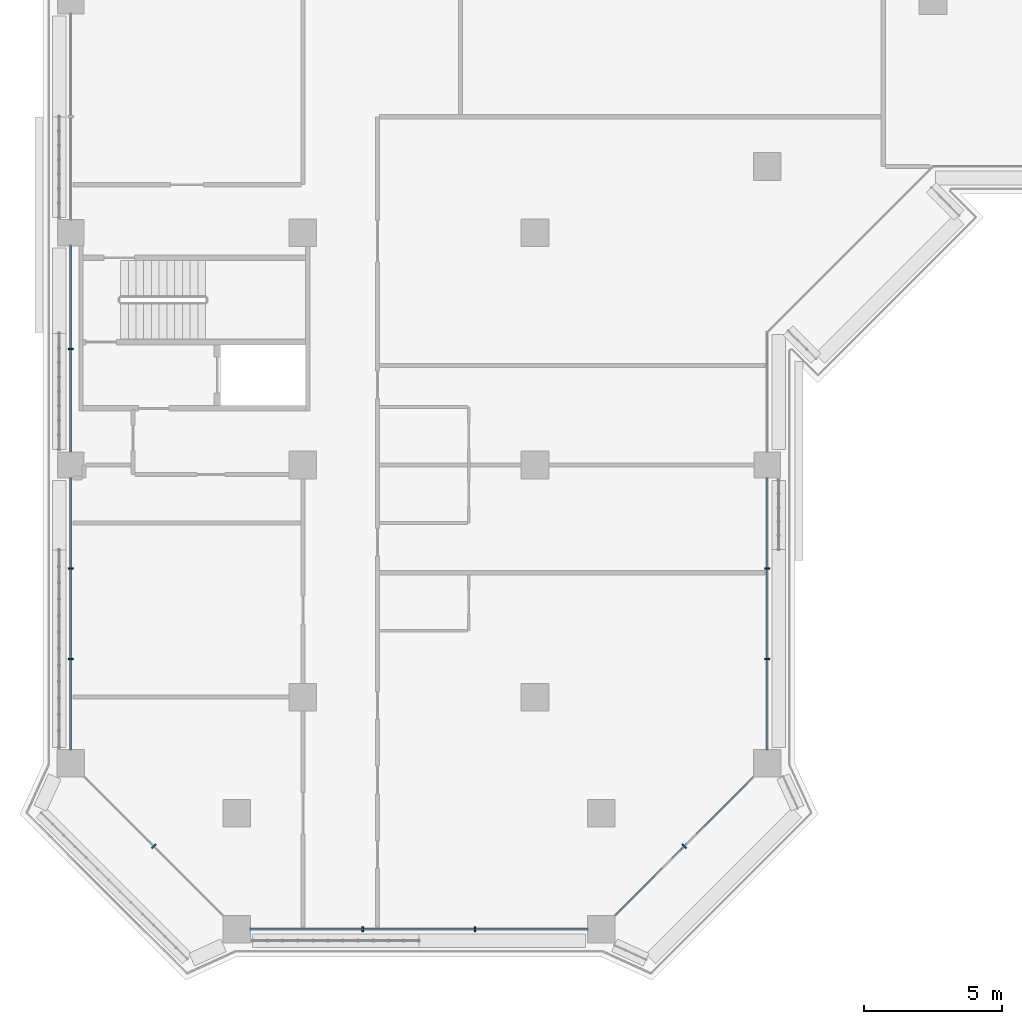
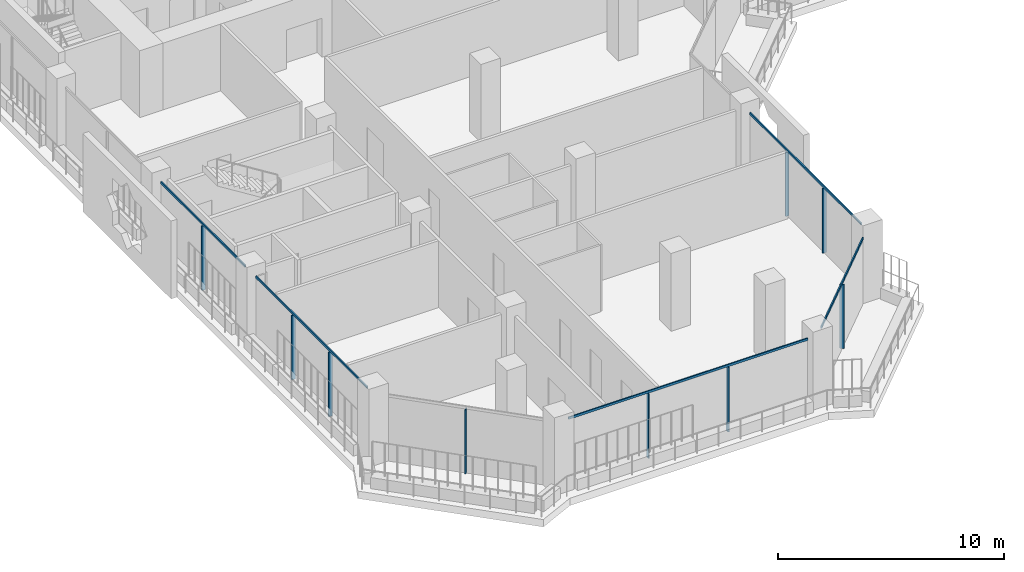
# One storey, part 2 of 23: 14 members, 5 elements without a shape of their own.
"""IFC4 building model written with IfcOpenShell, lengths in metres."""

import ifcopenshell
import ifcopenshell.guid

model = None  # the IFC model being written
_history = None  # IfcOwnerHistory: only IFC2X3 demands one
_inside = {}  # id of a spatial element -> (the spatial element, [elements in it])
_under = {}  # id of a project, library or spatial element -> (it, [spatial elements below it])
_declared = {}  # id of a project -> (the project, [libraries it declares])
_typed = {}  # id of a type object -> (the type object, [elements of that type])
_made_of = {}  # id of a material, layer set ... -> (it, [elements and type objects made of it])


def new_model(schema):
    """Start an empty IFC model of exactly this schema.

    Asked for "IFC4X3", IfcOpenShell would pick the latest addendum, in which some entities
    have other attributes; the version numbers below select the first issue.
    IFC2X3 requires an IfcOwnerHistory on every rooted entity: one is made here for all.
    """
    global model, _history
    if schema == "IFC4X3":
        model = ifcopenshell.file(schema_version=(4, 3, 0, 0))
    else:
        model = ifcopenshell.file(schema=schema)
    _inside.clear()
    _under.clear()
    _declared.clear()
    _typed.clear()
    _made_of.clear()
    _history = None
    if model.schema == "IFC2X3":
        org = make("IfcOrganization", Name="unknown")
        user = make(
            "IfcPersonAndOrganization",
            ThePerson=make("IfcPerson", FamilyName="unknown"),
            TheOrganization=org,
        )
        app = make(
            "IfcApplication",
            ApplicationDeveloper=org,
            Version="unknown",
            ApplicationFullName="unknown",
            ApplicationIdentifier="unknown",
        )
        _history = make(
            "IfcOwnerHistory",
            OwningUser=user,
            OwningApplication=app,
            ChangeAction="ADDED",
            CreationDate=0,
        )
    return model


def make(cls, **values):
    """One entity of the class cls with the attributes given. An attribute that is None is left unset."""
    return model.create_entity(
        cls, **{name: value for name, value in values.items() if value is not None}
    )


def rooted(cls, **values):
    """An entity with a GlobalId (a new one), such as an element, a storey or a relation."""
    return make(cls, GlobalId=ifcopenshell.guid.new(), OwnerHistory=_history, **values)


def si_unit(unit_type, name, prefix=None):
    """IfcSIUnit, for example si_unit("LENGTHUNIT", "METRE", prefix="MILLI")."""
    return make("IfcSIUnit", UnitType=unit_type, Prefix=prefix, Name=name)


def assignment(units):
    """IfcUnitAssignment: the units of a project."""
    return None if units is None else make("IfcUnitAssignment", Units=units)


def point(xyz):
    """IfcCartesianPoint."""
    return None if xyz is None else make("IfcCartesianPoint", Coordinates=xyz)


def direction(xyz):
    """IfcDirection."""
    return None if xyz is None else make("IfcDirection", DirectionRatios=xyz)


def frame(location, z_axis=None, x_axis=None):
    """IfcAxis2Placement3D, a coordinate frame: its origin and axes. An axis left out is left unset."""
    return make(
        "IfcAxis2Placement3D",
        Location=point(location),
        Axis=direction(z_axis),
        RefDirection=direction(x_axis),
    )


def frame_2d(location, x_axis=None):
    """IfcAxis2Placement2D, a coordinate frame in the plane: its origin and x axis."""
    return make(
        "IfcAxis2Placement2D", Location=point(location), RefDirection=direction(x_axis)
    )


def origin():
    """The frame at (0, 0, 0) with its axes left unset."""
    return frame((0.0, 0.0, 0.0))


def origin_2d():
    """The frame at (0, 0) in the plane with its x axis left unset."""
    return frame_2d((0.0, 0.0))


def place(relative_to, where):
    """IfcLocalPlacement: puts the frame where relative to a parent placement (None: the world)."""
    return make(
        "IfcLocalPlacement", PlacementRelTo=relative_to, RelativePlacement=where
    )


def context(
    kind, dimensions, precision=None, world=None, true_north=None, identifier=None
):
    """IfcGeometricRepresentationContext, for example the 3D "Model" context."""
    return make(
        "IfcGeometricRepresentationContext",
        ContextIdentifier=identifier,
        ContextType=kind,
        CoordinateSpaceDimension=dimensions,
        Precision=precision,
        WorldCoordinateSystem=world,
        TrueNorth=true_north,
    )


def subcontext(parent, identifier, kind, view, scale=None):
    """IfcGeometricRepresentationSubContext, for example "Body" below "Model"."""
    return make(
        "IfcGeometricRepresentationSubContext",
        ContextIdentifier=identifier,
        ContextType=kind,
        ParentContext=parent,
        TargetScale=scale,
        TargetView=view,
    )


def project(units=None, contexts=None):
    """IfcProject with its units and contexts."""
    return rooted(
        "IfcProject",
        Name="project",
        RepresentationContexts=contexts,
        UnitsInContext=assignment(units),
    )


def spatial(cls, under=None, at=None, **own):
    """A site, building, storey or space (cls), placed at a placement, below another one or the project."""
    s = rooted(cls, ObjectPlacement=at, **own)
    if under is not None:
        _under.setdefault(under.id(), (under, []))[1].append(s)
    return s


def profile(cls, at=None, kind="AREA", **sizes):
    """A parametric profile (cls). Its sizes go by their IFC names, for example OverallWidth=200.0."""
    return make(cls, ProfileType=kind, Position=at, **sizes)


def rectangle(**sizes):
    """IfcRectangleProfileDef."""
    return profile("IfcRectangleProfileDef", **sizes)


def extrude(swept, where, along, depth):
    """IfcExtrudedAreaSolid: the profile swept, set in the frame where, extruded along a direction by depth."""
    return make(
        "IfcExtrudedAreaSolid",
        SweptArea=swept,
        Position=where,
        ExtrudedDirection=direction(along),
        Depth=depth,
    )


def shape(context_of_items, identifier, shape_type, items):
    """IfcShapeRepresentation: the items that make up one representation, for example the "Body"."""
    return make(
        "IfcShapeRepresentation",
        ContextOfItems=context_of_items,
        RepresentationIdentifier=identifier,
        RepresentationType=shape_type,
        Items=items,
    )


def material(Name=None, Category=None):
    """IfcMaterial."""
    return make("IfcMaterial", Name=Name, Category=Category)


def layer(
    of_material, thickness, ventilated=None, Name=None, Category=None, Priority=None
):
    """IfcMaterialLayer: one layer of a wall or slab, of a material (None: an air gap)."""
    return make(
        "IfcMaterialLayer",
        Material=of_material,
        LayerThickness=thickness,
        IsVentilated=ventilated,
        Name=Name,
        Category=Category,
        Priority=Priority,
    )


def layer_set(layers, Name=None):
    """IfcMaterialLayerSet."""
    return make("IfcMaterialLayerSet", MaterialLayers=layers, LayerSetName=Name)


def material_profile(
    of_material, cross_section, Name=None, Category=None, Priority=None
):
    """IfcMaterialProfile: a cross section and its material."""
    return make(
        "IfcMaterialProfile",
        Name=Name,
        Material=of_material,
        Profile=cross_section,
        Priority=Priority,
        Category=Category,
    )


def profile_set(profiles, Name=None, composite=None):
    """IfcMaterialProfileSet."""
    return make(
        "IfcMaterialProfileSet",
        Name=Name,
        MaterialProfiles=profiles,
        CompositeProfile=composite,
    )


def made_of(thing, what):
    """Note that an element or type object is made of a material, layer set ...; save() writes the relation."""
    if what is not None:
        _made_of.setdefault(what.id(), (what, []))[1].append(thing)
    return thing


def type_object(cls, material=None, **own):
    """A type object (cls), such as IfcWallType, which elements share."""
    return made_of(rooted(cls, **own), material)


def element(
    cls,
    number,
    at=None,
    inside=None,
    cuts=None,
    type_object=None,
    material=None,
    context=None,
    identifier="Body",
    shape_type=None,
    held_by="IfcProductDefinitionShape",
    body=None,
    shapes=None,
    **own,
):
    """One element of the class cls, such as IfcWall. Its Tag is "e" and its number.

    at: its placement. inside: the storey or other place that contains it. cuts: it is an
    opening in that element (IfcRelVoidsElement). A single representation is given by context,
    identifier, shape_type and body (its items); several are given by shapes. held_by: the class
    of the entity that holds the representations. save() writes the other relations.
    """
    e = rooted(cls, Tag="e%d" % number, ObjectPlacement=at, **own)
    if body is not None:
        shapes = [shape(context, identifier, shape_type, body)]
    if shapes is not None:
        e.Representation = make(held_by, Representations=shapes)
    if inside is not None:
        _inside.setdefault(inside.id(), (inside, []))[1].append(e)
    if cuts is not None:
        rooted(
            "IfcRelVoidsElement", RelatingBuildingElement=cuts, RelatedOpeningElement=e
        )
    if type_object is not None:
        _typed.setdefault(type_object.id(), (type_object, []))[1].append(e)
    return made_of(e, material)


def aggregate(whole, parts):
    """IfcRelAggregates: a whole, such as a stair, and the parts it consists of."""
    return rooted("IfcRelAggregates", RelatingObject=whole, RelatedObjects=parts)


def save(model, path):
    """Write the relations noted so far, then the file.

    IfcRelAggregates (storeys below a building ...), IfcRelContainedInSpatialStructure (elements
    in a storey), IfcRelDefinesByType, IfcRelAssociatesMaterial and IfcRelDeclares: one each for
    every whole, place, type object, material and project.
    """
    for whole, parts in _under.values():
        aggregate(whole, parts)
    for where, things in _inside.values():
        rooted(
            "IfcRelContainedInSpatialStructure",
            RelatedElements=things,
            RelatingStructure=where,
        )
    for kind, things in _typed.values():
        rooted("IfcRelDefinesByType", RelatedObjects=things, RelatingType=kind)
    for what, things in _made_of.values():
        rooted("IfcRelAssociatesMaterial", RelatedObjects=things, RelatingMaterial=what)
    for by, libraries in _declared.values():
        rooted("IfcRelDeclares", RelatingContext=by, RelatedDefinitions=libraries)
    model.write(path)


model = new_model("IFC4")

# Units and contexts
model_context = context("Model", 3, precision=1e-05, world=origin(), true_north=direction((0.0, 1.0)))
body_context = subcontext(model_context, "Body", "Model", "MODEL_VIEW")
ifc_project = project(units=[si_unit("LENGTHUNIT", "METRE"), si_unit("AREAUNIT", "SQUARE_METRE"), si_unit("VOLUMEUNIT", "CUBIC_METRE"), si_unit("PLANEANGLEUNIT", "RADIAN"), si_unit("MASSUNIT", "GRAM", prefix="KILO")], contexts=[model_context])

# Site, building, storey
site_placement = place(None, origin())
site = spatial("IfcSite", under=ifc_project, at=site_placement, CompositionType="ELEMENT")
building_placement = place(site_placement, origin())
building = spatial("IfcBuilding", under=site, at=building_placement, Name="Kawkab Arch Medical Tower", CompositionType="ELEMENT")
storey_placement = place(building_placement, frame((0.0, 0.0, 166.800048828125)))
storey = spatial("IfcBuildingStorey", under=building, at=storey_placement, Name="L38", CompositionType="ELEMENT", Elevation=166.800048828125)

# Curtain wall, members
ifc_material_1 = material(Name="Bronze anodised aluminium curtain wall frame", Category="aluminium")
ifc_layer_1 = layer(ifc_material_1, 0.159912109375)
ifc_layer_set_1 = layer_set([ifc_layer_1], Name="Bronze anodised aluminium curtain wall frame")
curtain_wall_type_1 = type_object("IfcCurtainWallType", Name="CW1 ward curtain wall", PredefinedType="NOTDEFINED", material=ifc_layer_set_1)
placement = place(storey_placement, origin())
curtain_wall_1 = element("IfcCurtainWall", 1, at=placement, inside=storey, type_object=curtain_wall_type_1, Name="CW1 Ward curtain wall R11", PredefinedType="NOTDEFINED")
ifc_material_2 = material(Name="Bronze anodised aluminium curtain wall frame", Category="aluminium")
ifc_material_profile_1 = material_profile(ifc_material_2, rectangle(XDim=0.179931640625, YDim=0.06005859375, at=origin_2d()), Name="AL 60x180")
ifc_profile_set_1 = profile_set([ifc_material_profile_1], Name="Bronze anodised aluminium curtain wall frame")
member_type_1 = type_object("IfcMemberType", Name="CW1 mullion 60 x 180", PredefinedType="MULLION", material=ifc_profile_set_1)
member_1_placement = place(storey_placement, frame((0.0, -37.800048828125, 0.0), z_axis=(0.0, 0.0, 1.0), x_axis=(1.0, 0.0, 0.0)))
member_1 = element("IfcMember", 2, at=member_1_placement, type_object=member_type_1, Name="CW1 mullion 4.1", PredefinedType="MULLION", context=body_context, shape_type="SweptSolid", body=[
    extrude(rectangle(XDim=0.179931640625, YDim=0.06005859375, at=origin_2d()), origin(), (0.0, 0.0, 1.0), 3.47998046875),
])
member_2_placement = place(storey_placement, frame((0.0, -45.75, 0.0), z_axis=(0.0, 0.0, 1.0), x_axis=(1.0, 0.0, 0.0)))
member_2 = element("IfcMember", 3, at=member_2_placement, type_object=member_type_1, Name="CW1 mullion 5.1", PredefinedType="MULLION", context=body_context, shape_type="SweptSolid", body=[
    extrude(rectangle(XDim=0.179931640625, YDim=0.06005859375, at=origin_2d()), origin(), (0.0, 0.0, 1.0), 3.47998046875),
])
member_3_placement = place(storey_placement, frame((0.0, -49.02490234375, 0.0), z_axis=(0.0, 0.0, 1.0), x_axis=(1.0, 0.0, 0.0)))
member_3 = element("IfcMember", 4, at=member_3_placement, type_object=member_type_1, Name="CW1 mullion 5.2", PredefinedType="MULLION", context=body_context, shape_type="SweptSolid", body=[
    extrude(rectangle(XDim=0.179931640625, YDim=0.06005859375, at=origin_2d()), origin(), (0.0, 0.0, 1.0), 3.47998046875),
])

curtain_wall_2 = element("IfcCurtainWall", 5, at=placement, inside=storey, type_object=curtain_wall_type_1, Name="CW1 Ward curtain wall R13", PredefinedType="NOTDEFINED")
member_4_placement = place(storey_placement, frame((10.566650390625, -58.800048828125, 0.0), z_axis=(0.0, 0.0, 1.0), x_axis=(0.0, 1.0, 0.0)))
member_4 = element("IfcMember", 6, at=member_4_placement, type_object=member_type_1, Name="CW1 mullion 1.1", PredefinedType="MULLION", context=body_context, shape_type="SweptSolid", body=[
    extrude(rectangle(XDim=0.179931640625, YDim=0.06005859375, at=origin_2d()), origin(), (0.0, 0.0, 1.0), 3.47998046875),
])
member_5_placement = place(storey_placement, frame((14.63330078125, -58.800048828125, 0.0), z_axis=(0.0, 0.0, 1.0), x_axis=(0.0, 1.0, 0.0)))
member_5 = element("IfcMember", 7, at=member_5_placement, type_object=member_type_1, Name="CW1 mullion 1.2", PredefinedType="MULLION", context=body_context, shape_type="SweptSolid", body=[
    extrude(rectangle(XDim=0.179931640625, YDim=0.06005859375, at=origin_2d()), origin(), (0.0, 0.0, 1.0), 3.47998046875),
])

curtain_wall_3 = element("IfcCurtainWall", 8, at=placement, inside=storey, type_object=curtain_wall_type_1, Name="CW1 Ward curtain wall R15", PredefinedType="NOTDEFINED")
member_6_placement = place(storey_placement, frame((25.199951171875, -49.02490234375, 0.0), z_axis=(0.0, 0.0, 1.0), x_axis=(-1.0, 0.0, 0.0)))
member_6 = element("IfcMember", 9, at=member_6_placement, type_object=member_type_1, Name="CW1 mullion 1.1", PredefinedType="MULLION", context=body_context, shape_type="SweptSolid", body=[
    extrude(rectangle(XDim=0.179931640625, YDim=0.06005859375, at=origin_2d()), origin(), (0.0, 0.0, 1.0), 3.47998046875),
])
member_7_placement = place(storey_placement, frame((25.199951171875, -45.75, 0.0), z_axis=(0.0, 0.0, 1.0), x_axis=(-1.0, 0.0, 0.0)))
member_7 = element("IfcMember", 10, at=member_7_placement, type_object=member_type_1, Name="CW1 mullion 1.2", PredefinedType="MULLION", context=body_context, shape_type="SweptSolid", body=[
    extrude(rectangle(XDim=0.179931640625, YDim=0.06005859375, at=origin_2d()), origin(), (0.0, 0.0, 1.0), 3.47998046875),
])

# Member
ifc_material_3 = material(Name="Bronze anodised aluminium curtain wall frame", Category="aluminium")
ifc_material_profile_2 = material_profile(ifc_material_3, rectangle(XDim=0.06005859375, YDim=0.1201171875, at=origin_2d()), Name="AL 60x120")
ifc_profile_set_2 = profile_set([ifc_material_profile_2], Name="Bronze anodised aluminium curtain wall frame")
member_type_2 = type_object("IfcMemberType", Name="CW1 transom 120 x 60", PredefinedType="USERDEFINED", material=ifc_profile_set_2)
member_8_placement = place(storey_placement, frame((0.0, -34.074951171875, 3.5400390625), z_axis=(0.0, -1.0, 0.0), x_axis=(1.0, 0.0, 0.0)))
member_8 = element("IfcMember", 11, at=member_8_placement, type_object=member_type_2, Name="CW1 transom 4", ObjectType="TRANSOM", PredefinedType="USERDEFINED", context=body_context, shape_type="SweptSolid", body=[
    extrude(rectangle(XDim=0.06005859375, YDim=0.1201171875, at=origin_2d()), origin(), (0.0, 0.0, 1.0), 7.449951171875),
])

member_9_placement = place(storey_placement, frame((0.0, -42.47509765625, 3.5400390625), z_axis=(0.0, -1.0, 0.0), x_axis=(1.0, 0.0, 0.0)))
member_9 = element("IfcMember", 12, at=member_9_placement, type_object=member_type_2, Name="CW1 transom 5", ObjectType="TRANSOM", PredefinedType="USERDEFINED", context=body_context, shape_type="SweptSolid", body=[
    extrude(rectangle(XDim=0.06005859375, YDim=0.1201171875, at=origin_2d()), origin(), (0.0, 0.0, 1.0), 9.824951171875),
])

aggregate(curtain_wall_1, [member_8, member_1, member_9, member_2, member_3])

member_10_placement = place(storey_placement, frame((6.5, -58.800048828125, 3.5400390625), z_axis=(1.0, 0.0, 0.0), x_axis=(0.0, 1.0, 0.0)))
member_10 = element("IfcMember", 13, at=member_10_placement, type_object=member_type_2, Name="CW1 transom 1", ObjectType="TRANSOM", PredefinedType="USERDEFINED", context=body_context, shape_type="SweptSolid", body=[
    extrude(rectangle(XDim=0.06005859375, YDim=0.1201171875, at=origin_2d()), origin(), (0.0, 0.0, 1.0), 12.199951171875),
])

aggregate(curtain_wall_2, [member_10, member_4, member_5])

member_11_placement = place(storey_placement, frame((25.199951171875, -52.300048828125, 3.5400390625), z_axis=(0.0, 1.0, 0.0), x_axis=(-1.0, 0.0, 0.0)))
member_11 = element("IfcMember", 14, at=member_11_placement, type_object=member_type_2, Name="CW1 transom 1", ObjectType="TRANSOM", PredefinedType="USERDEFINED", context=body_context, shape_type="SweptSolid", body=[
    extrude(rectangle(XDim=0.06005859375, YDim=0.1201171875, at=origin_2d()), origin(), (0.0, 0.0, 1.0), 9.824951171875),
])

aggregate(curtain_wall_3, [member_11, member_6, member_7])

# Curtain wall, member
ifc_material_4 = material(Name="Bronze anodised aluminium curtain wall frame", Category="aluminium")
ifc_layer_2 = layer(ifc_material_4, 0.159912109375)
ifc_layer_set_2 = layer_set([ifc_layer_2], Name="Bronze anodised aluminium curtain wall frame")
curtain_wall_type_2 = type_object("IfcCurtainWallType", Name="CW2 chamfer curtain wall", PredefinedType="NOTDEFINED", material=ifc_layer_set_2)
curtain_wall_4 = element("IfcCurtainWall", 15, at=placement, inside=storey, type_object=curtain_wall_type_2, Name="CW2 Chamfer curtain wall R12", PredefinedType="NOTDEFINED")
ifc_material_5 = material(Name="Bronze anodised aluminium curtain wall frame", Category="aluminium")
ifc_material_profile_3 = material_profile(ifc_material_5, rectangle(XDim=0.199951171875, YDim=0.06005859375, at=origin_2d()), Name="AL 60x200")
ifc_profile_set_3 = profile_set([ifc_material_profile_3], Name="Bronze anodised aluminium curtain wall frame")
member_type_3 = type_object("IfcMemberType", Name="CW2 mullion 60 x 200", PredefinedType="MULLION", material=ifc_profile_set_3)
member_12_placement = place(storey_placement, frame((3.0, -55.800048828125, 0.0), z_axis=(0.0, 0.0, 1.0), x_axis=(0.707106781187, 0.707106781187, 0.0)))
member_12 = element("IfcMember", 16, at=member_12_placement, type_object=member_type_3, Name="CW2 mullion 1.1", PredefinedType="MULLION", context=body_context, shape_type="SweptSolid", body=[
    extrude(rectangle(XDim=0.199951171875, YDim=0.06005859375, at=origin_2d()), origin(), (0.0, 0.0, 1.0), 3.4599609375),
])
aggregate(curtain_wall_4, [member_12])

# Curtain wall, members
curtain_wall_5 = element("IfcCurtainWall", 17, at=placement, inside=storey, type_object=curtain_wall_type_2, Name="CW2 Chamfer curtain wall R14", PredefinedType="NOTDEFINED")
member_13_placement = place(storey_placement, frame((22.199951171875, -55.800048828125, 0.0), z_axis=(0.0, 0.0, 1.0), x_axis=(-0.707106781187, 0.707106781187, 0.0)))
member_13 = element("IfcMember", 18, at=member_13_placement, type_object=member_type_3, Name="CW2 mullion 1.1", PredefinedType="MULLION", context=body_context, shape_type="SweptSolid", body=[
    extrude(rectangle(XDim=0.199951171875, YDim=0.06005859375, at=origin_2d()), origin(), (0.0, 0.0, 1.0), 3.4599609375),
])
ifc_material_6 = material(Name="Bronze anodised aluminium curtain wall frame", Category="aluminium")
ifc_material_profile_4 = material_profile(ifc_material_6, rectangle(XDim=0.06005859375, YDim=0.139892578125, at=origin_2d()), Name="AL 60x140")
ifc_profile_set_4 = profile_set([ifc_material_profile_4], Name="Bronze anodised aluminium curtain wall frame")
member_type_4 = type_object("IfcMemberType", Name="CW2 transom 140 x 60", PredefinedType="USERDEFINED", material=ifc_profile_set_4)
member_14_placement = place(storey_placement, frame((19.699951171875, -58.300048828125, 3.530029296875), z_axis=(0.707106781187, 0.707106781187, 0.0), x_axis=(-0.707106781187, 0.707106781187, 0.0)))
member_14 = element("IfcMember", 19, at=member_14_placement, type_object=member_type_4, Name="CW2 transom 1", ObjectType="TRANSOM", PredefinedType="USERDEFINED", context=body_context, shape_type="SweptSolid", body=[
    extrude(rectangle(XDim=0.06005859375, YDim=0.139892578125, at=origin_2d()), origin(), (0.0, 0.0, 1.0), 7.071044921875),
])
aggregate(curtain_wall_5, [member_14, member_13])

save(model, "model.ifc")
